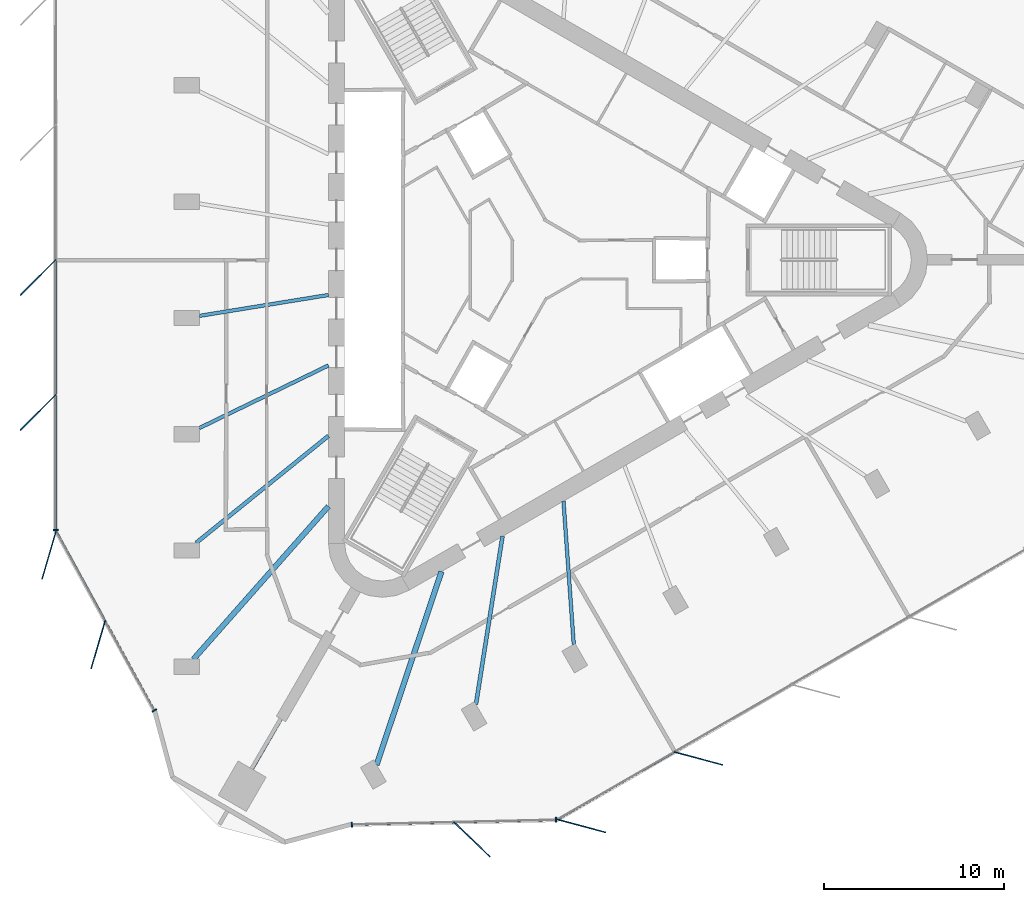
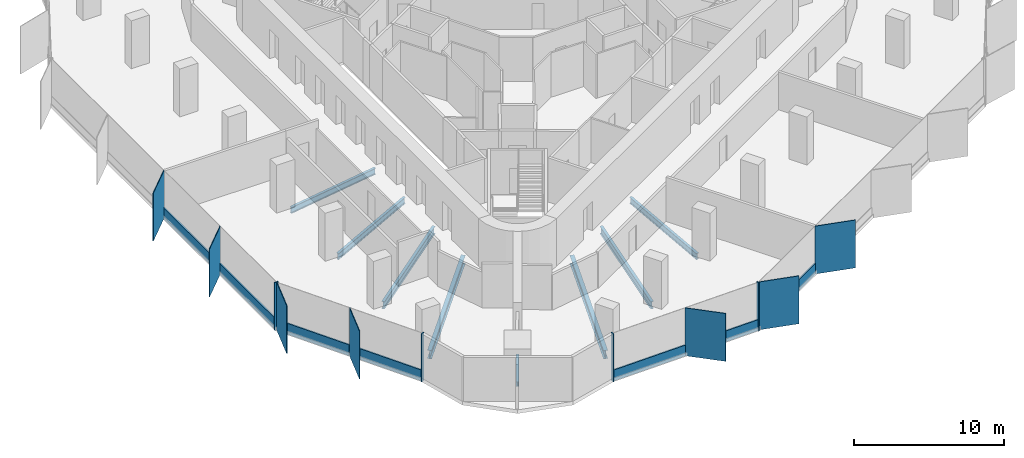
# One storey, part 2 of 12: 18 members, 8 beams, 4 elements without a shape of their own.
"""IFC4 building model written with IfcOpenShell, lengths in metres."""

from ifc_helpers import new_model, si_unit, direction, frame, origin, origin_2d, place, context, subcontext, project, spatial, rectangle, i_section, extrude, material, material_profile, profile_set, type_object, element, aggregate, save


model = new_model("IFC4")

# Units and contexts
model_context = context("Model", 3, precision=1e-05, world=origin(), true_north=direction((0.0, 1.0)))
body_context = subcontext(model_context, "Body", "Model", "MODEL_VIEW")
ifc_project = project(units=[si_unit("LENGTHUNIT", "METRE"), si_unit("AREAUNIT", "SQUARE_METRE"), si_unit("VOLUMEUNIT", "CUBIC_METRE"), si_unit("PLANEANGLEUNIT", "RADIAN"), si_unit("MASSUNIT", "GRAM", prefix="KILO")], contexts=[model_context])

# Site, building, storey
site_placement = place(None, origin())
site = spatial("IfcSite", under=ifc_project, at=site_placement, CompositionType="ELEMENT")
building_placement = place(site_placement, origin())
building = spatial("IfcBuilding", under=site, at=building_placement, Name="Tanit Gate Tower", CompositionType="ELEMENT")
storey_placement = place(building_placement, frame((0.0, 0.0, 341.60009765625)))
storey = spatial("IfcBuildingStorey", under=building, at=storey_placement, Name="L77", CompositionType="ELEMENT", Elevation=341.60009765625)

# Curtain wall, members
ifc_material_1 = material(Name="Aluminium bronze anodised and glass", Category="aluminium")
curtain_wall_type = type_object("IfcCurtainWallType", Name="Curtain wall typical high", PredefinedType="NOTDEFINED", material=ifc_material_1)
curtain_wall_1_placement = place(storey_placement, origin())
curtain_wall_1 = element("IfcCurtainWall", 1, at=curtain_wall_1_placement, inside=storey, type_object=curtain_wall_type, Name="Curtain wall L77 W2", PredefinedType="NOTDEFINED")
ifc_material_2 = material(Name="Aluminium bronze anodised", Category="aluminium")
ifc_material_profile_1 = material_profile(ifc_material_2, rectangle(XDim=2.800048828125, YDim=0.055908203125, at=origin_2d()), Name="56x2800 bronze fin mullion")
ifc_profile_set_1 = profile_set([ifc_material_profile_1], Name="Aluminium bronze anodised")
member_type_1 = type_object("IfcMemberType", Name="FIN MULLION 56x2800 bronze", PredefinedType="MULLION", material=ifc_profile_set_1)
member_1_placement = place(storey_placement, frame((-28.233642578125, -0.975830078125, -0.300048828125), z_axis=(0.0, 0.0, 1.0), x_axis=(0.707155809403, 0.707057749571, 0.0)))
member_1 = element("IfcMember", 2, at=member_1_placement, type_object=member_type_1, Name="Fin mullion L77 W2.3", PredefinedType="MULLION", context=body_context, shape_type="SweptSolid", body=[
    extrude(rectangle(XDim=2.800048828125, YDim=0.055908203125, at=origin_2d()), origin(), (0.0, 0.0, 1.0), 3.89990234375),
])
member_2_placement = place(storey_placement, frame((-28.234130859375, -8.47998046875, -0.300048828125), z_axis=(0.0, 0.0, 1.0), x_axis=(0.707155809403, 0.707057749571, 0.0)))
member_2 = element("IfcMember", 3, at=member_2_placement, type_object=member_type_1, Name="Fin mullion L77 W2.4", PredefinedType="MULLION", context=body_context, shape_type="SweptSolid", body=[
    extrude(rectangle(XDim=2.800048828125, YDim=0.055908203125, at=origin_2d()), origin(), (0.0, 0.0, 1.0), 3.89990234375),
])

curtain_wall_2_placement = place(storey_placement, origin())
curtain_wall_2 = element("IfcCurtainWall", 4, at=curtain_wall_2_placement, inside=storey, type_object=curtain_wall_type, Name="Curtain wall L77 W3", PredefinedType="NOTDEFINED")
member_3_placement = place(storey_placement, frame((-27.627197265625, -16.40771484375, -0.300048828125), z_axis=(0.0, 0.0, 1.0), x_axis=(0.280851527319, 0.959751227977, 0.0)))
member_3 = element("IfcMember", 5, at=member_3_placement, type_object=member_type_1, Name="Fin mullion L77 W3.1", PredefinedType="MULLION", context=body_context, shape_type="SweptSolid", body=[
    extrude(rectangle(XDim=2.800048828125, YDim=0.055908203125, at=origin_2d()), origin(), (0.0, 0.0, 1.0), 3.89990234375),
])
member_4_placement = place(storey_placement, frame((-24.899658203125, -21.391845703125, -0.300048828125), z_axis=(0.0, 0.0, 1.0), x_axis=(0.280851527319, 0.959751227977, 0.0)))
member_4 = element("IfcMember", 6, at=member_4_placement, type_object=member_type_1, Name="Fin mullion L77 W3.2", PredefinedType="MULLION", context=body_context, shape_type="SweptSolid", body=[
    extrude(rectangle(XDim=2.800048828125, YDim=0.055908203125, at=origin_2d()), origin(), (0.0, 0.0, 1.0), 3.89990234375),
])

# Curtain wall, member
curtain_wall_3_placement = place(storey_placement, origin())
curtain_wall_3 = element("IfcCurtainWall", 7, at=curtain_wall_3_placement, inside=storey, type_object=curtain_wall_type, Name="Curtain wall L77 SE1", PredefinedType="NOTDEFINED")
member_5_placement = place(storey_placement, frame((-4.125, -32.2138671875, -0.300048828125), z_axis=(0.0, 0.0, 1.0), x_axis=(-0.723210744855, 0.690627409336, 0.0)))
member_5 = element("IfcMember", 8, at=member_5_placement, type_object=member_type_1, Name="Fin mullion L77 SE1.2", PredefinedType="MULLION", context=body_context, shape_type="SweptSolid", body=[
    extrude(rectangle(XDim=2.800048828125, YDim=0.055908203125, at=origin_2d()), origin(), (0.0, 0.0, 1.0), 3.89990234375),
])

# Curtain wall, members
curtain_wall_4_placement = place(storey_placement, origin())
curtain_wall_4 = element("IfcCurtainWall", 9, at=curtain_wall_4_placement, inside=storey, type_object=curtain_wall_type, Name="Curtain wall L77 SE2", PredefinedType="NOTDEFINED")
member_6_placement = place(storey_placement, frame((1.964111328125, -31.46630859375, -0.300048828125), z_axis=(0.0, 0.0, 1.0), x_axis=(-0.965907877772, 0.258886020591, 0.0)))
member_6 = element("IfcMember", 10, at=member_6_placement, type_object=member_type_1, Name="Fin mullion L77 SE2.1", PredefinedType="MULLION", context=body_context, shape_type="SweptSolid", body=[
    extrude(rectangle(XDim=2.800048828125, YDim=0.055908203125, at=origin_2d()), origin(), (0.0, 0.0, 1.0), 3.89990234375),
])
member_7_placement = place(storey_placement, frame((8.463134765625, -27.71484375, -0.300048828125), z_axis=(0.0, 0.0, 1.0), x_axis=(-0.965907877772, 0.258886020591, 0.0)))
member_7 = element("IfcMember", 11, at=member_7_placement, type_object=member_type_1, Name="Fin mullion L77 SE2.2", PredefinedType="MULLION", context=body_context, shape_type="SweptSolid", body=[
    extrude(rectangle(XDim=2.800048828125, YDim=0.055908203125, at=origin_2d()), origin(), (0.0, 0.0, 1.0), 3.89990234375),
])

# Member
ifc_material_3 = material(Name="Aluminium bronze anodised", Category="aluminium")
ifc_material_profile_2 = material_profile(ifc_material_3, rectangle(XDim=0.280029296875, YDim=0.080078125, at=origin_2d()), Name="80x280 bronze mullion")
ifc_profile_set_2 = profile_set([ifc_material_profile_2], Name="Aluminium bronze anodised")
member_type_2 = type_object("IfcMemberType", Name="Mullion 80x280 typical high", PredefinedType="MULLION", material=ifc_profile_set_2)
member_8_placement = place(storey_placement, frame((-27.2587890625, -15.008056640625, -0.300048828125), z_axis=(0.0, 0.0, 1.0), x_axis=(0.999999997596, -6.9338772e-05, 0.0)))
member_8 = element("IfcMember", 12, at=member_8_placement, type_object=member_type_2, Name="Mullion L77 W2.5", PredefinedType="MULLION", context=body_context, shape_type="SweptSolid", body=[
    extrude(rectangle(XDim=0.280029296875, YDim=0.080078125, at=origin_2d()), origin(), (0.0, 0.0, 1.0), 3.89990234375),
])

member_9_placement = place(storey_placement, frame((-21.78466796875, -25.051025390625, -0.300048828125), z_axis=(0.0, 0.0, 1.0), x_axis=(0.877238621028, 0.48005458208, 0.0)))
member_9 = element("IfcMember", 13, at=member_9_placement, type_object=member_type_2, Name="Mullion L77 W3.3", PredefinedType="MULLION", context=body_context, shape_type="SweptSolid", body=[
    extrude(rectangle(XDim=0.280029296875, YDim=0.080078125, at=origin_2d()), origin(), (0.0, 0.0, 1.0), 3.89990234375),
])

member_10_placement = place(storey_placement, frame((-10.802490234375, -31.3916015625, -0.300048828125), z_axis=(0.0, 0.0, 1.0), x_axis=(-0.023039897499, 0.999734546329, 0.0)))
member_10 = element("IfcMember", 14, at=member_10_placement, type_object=member_type_2, Name="Mullion L77 SE1.1", PredefinedType="MULLION", context=body_context, shape_type="SweptSolid", body=[
    extrude(rectangle(XDim=0.280029296875, YDim=0.080078125, at=origin_2d()), origin(), (0.0, 0.0, 1.0), 3.89990234375),
])

member_11_placement = place(storey_placement, frame((0.556396484375, -31.1298828125, -0.300048828125), z_axis=(0.0, 0.0, 1.0), x_axis=(-0.023039897499, 0.999734546329, 0.0)))
member_11 = element("IfcMember", 15, at=member_11_placement, type_object=member_type_2, Name="Mullion L77 SE1.3", PredefinedType="MULLION", context=body_context, shape_type="SweptSolid", body=[
    extrude(rectangle(XDim=0.280029296875, YDim=0.080078125, at=origin_2d()), origin(), (0.0, 0.0, 1.0), 3.89990234375),
])

# Beams
ifc_material_4 = material(Name="Steel S355", Category="steel")
ifc_material_profile_3 = material_profile(ifc_material_4, i_section(OverallWidth=0.300048828125, OverallDepth=0.68994140625, WebThickness=0.014404296875, FlangeThickness=0.027099609375, FilletRadius=0.027099609375, at=origin_2d()), Name="HEA 700")
ifc_profile_set_3 = profile_set([ifc_material_profile_3], Name="Steel S355")
beam_type_1 = type_object("IfcBeamType", Name="RADIAL GIRDER HEA 700 S355", PredefinedType="BEAM", material=ifc_profile_set_3)
for number, where, z_axis, x_axis, name in (
    (16, (-19.602294921875, -22.198486328125, -0.64501953125), (0.661911618894, 0.749581889304, 0.0), (-0.749581889304, 0.661911618894, 0.0), "RADIAL GIRDER"),
    (17, (-9.42333984375, -28.075439453125, -0.64501953125), (0.318204952312, 0.948021945065, 0.0), (-0.948021945065, 0.318204952312, 0.0), "RADIAL GIRDER"),
):
    element("IfcBeam", number, at=place(storey_placement, frame(where, z_axis=z_axis, x_axis=x_axis)), inside=storey, type_object=beam_type_1, Name=name, PredefinedType="BEAM", context=body_context, shape_type="SweptSolid", body=[
        extrude(i_section(OverallWidth=0.300048828125, OverallDepth=0.68994140625, WebThickness=0.014404296875, FlangeThickness=0.027099609375, FilletRadius=0.027099609375, at=origin_2d()), origin(), (0.0, 0.0, 1.0), 11.331298828125),
    ])
ifc_material_5 = material(Name="Steel S355", Category="steel")
ifc_material_profile_4 = material_profile(ifc_material_5, i_section(OverallWidth=0.179931640625, OverallDepth=0.39990234375, WebThickness=0.008544921875, FlangeThickness=0.013427734375, FilletRadius=0.02099609375, at=origin_2d()), Name="IPE 400")
ifc_profile_set_4 = profile_set([ifc_material_profile_4], Name="Steel S355")
beam_type_2 = type_object("IfcBeamType", Name="RADIAL GIRDER IPE 400 S355", PredefinedType="BEAM", material=ifc_profile_set_4)
beam_1_placement = place(storey_placement, frame((-16.343505859375, -28.30810546875, -0.5), z_axis=(0.499967746641, 0.866044024469, 0.0), x_axis=(-0.866044024469, 0.499967746641, 0.0)))
element("IfcBeam", 18, at=beam_1_placement, inside=storey, type_object=beam_type_2, Name="RADIAL GIRDER", PredefinedType="BEAM", context=body_context, shape_type="SweptSolid", body=[
    extrude(i_section(OverallWidth=0.179931640625, OverallDepth=0.39990234375, WebThickness=0.008544921875, FlangeThickness=0.013427734375, FilletRadius=0.02099609375, at=origin_2d()), origin(), (0.0, 0.0, 1.0), 3.216552734375),
])
ifc_material_6 = material(Name="Steel S355", Category="steel")
ifc_material_profile_5 = material_profile(ifc_material_6, i_section(OverallWidth=0.199951171875, OverallDepth=0.5, WebThickness=0.01025390625, FlangeThickness=0.01611328125, FilletRadius=0.02099609375, at=origin_2d()), Name="IPE 500")
ifc_profile_set_5 = profile_set([ifc_material_profile_5], Name="Steel S355")
beam_type_3 = type_object("IfcBeamType", Name="RADIAL GIRDER IPE 500 S355", PredefinedType="BEAM", material=ifc_profile_set_5)
beam_2_placement = place(storey_placement, frame((-19.277587890625, -3.11865234375, -0.550048828125), z_axis=(0.987164361899, 0.159707615965, 0.0), x_axis=(-0.159707615965, 0.987164361899, 0.0)))
element("IfcBeam", 19, at=beam_2_placement, inside=storey, type_object=beam_type_3, Name="RADIAL GIRDER", PredefinedType="BEAM", context=body_context, shape_type="SweptSolid", body=[
    extrude(i_section(OverallWidth=0.199951171875, OverallDepth=0.5, WebThickness=0.01025390625, FlangeThickness=0.01611328125, FilletRadius=0.02099609375, at=origin_2d()), origin(), (0.0, 0.0, 1.0), 7.268798828125),
])
for number, where, z_axis, x_axis, name in (
    (20, (-19.277587890625, -9.356201171875, -0.550048828125), (0.899635975272, 0.43664071271, 0.0), (-0.43664071271, 0.899635975272, 0.0), "RADIAL GIRDER"),
    (21, (1.5361328125, -21.373046875, -0.550048828125), (-0.071686446401, 0.997427217095, 0.0), (-0.997427217095, -0.071686446401, 0.0), "RADIAL GIRDER"),
):
    element("IfcBeam", number, at=place(storey_placement, frame(where, z_axis=z_axis, x_axis=x_axis)), inside=storey, type_object=beam_type_3, Name=name, PredefinedType="BEAM", context=body_context, shape_type="SweptSolid", body=[
        extrude(i_section(OverallWidth=0.199951171875, OverallDepth=0.5, WebThickness=0.01025390625, FlangeThickness=0.01611328125, FilletRadius=0.02099609375, at=origin_2d()), origin(), (0.0, 0.0, 1.0), 7.97607421875),
    ])
ifc_material_7 = material(Name="Steel S355", Category="steel")
ifc_material_profile_6 = material_profile(ifc_material_7, i_section(OverallWidth=0.219970703125, OverallDepth=0.60009765625, WebThickness=0.011962890625, FlangeThickness=0.01904296875, FilletRadius=0.02392578125, at=origin_2d()), Name="IPE 600")
ifc_profile_set_6 = profile_set([ifc_material_profile_6], Name="Steel S355")
beam_type_4 = type_object("IfcBeamType", Name="RADIAL GIRDER IPE 600 S355", PredefinedType="BEAM", material=ifc_profile_set_6)
for number, where, z_axis, x_axis, name in (
    (22, (-19.452392578125, -15.734619140625, -0.60009765625), (0.777488974624, 0.628896568872, 0.0), (-0.628896568872, 0.777488974624, 0.0), "RADIAL GIRDER"),
    (23, (-3.900390625, -24.713623046875, -0.60009765625), (0.155875049661, 0.987776780904, 0.0), (-0.987776780904, 0.155875049661, 0.0), "RADIAL GIRDER"),
):
    element("IfcBeam", number, at=place(storey_placement, frame(where, z_axis=z_axis, x_axis=x_axis)), inside=storey, type_object=beam_type_4, Name=name, PredefinedType="BEAM", context=body_context, shape_type="SweptSolid", body=[
        extrude(i_section(OverallWidth=0.219970703125, OverallDepth=0.60009765625, WebThickness=0.011962890625, FlangeThickness=0.01904296875, FilletRadius=0.02392578125, at=origin_2d()), origin(), (0.0, 0.0, 1.0), 9.453857421875),
    ])

# Member
ifc_material_8 = material(Name="Aluminium bronze anodised", Category="aluminium")
ifc_material_profile_7 = material_profile(ifc_material_8, rectangle(XDim=0.1201171875, YDim=0.89990234375, at=origin_2d()), Name="120x900 bronze transom")
ifc_profile_set_7 = profile_set([ifc_material_profile_7], Name="Aluminium bronze anodised")
member_type_3 = type_object("IfcMemberType", Name="Transom 120x900 typical high", PredefinedType="USERDEFINED", material=ifc_profile_set_7)
member_12_placement = place(storey_placement, frame((-27.2578125, -0.0400390625, 0.14990234375), z_axis=(-6.5770002e-05, -0.999999997837, 0.0), x_axis=(0.999999997837, -6.5770002e-05, 0.0)))
member_12 = element("IfcMember", 24, at=member_12_placement, type_object=member_type_3, Name="Transom L77 W2.3", ObjectType="TRANSOM", PredefinedType="USERDEFINED", context=body_context, shape_type="SweptSolid", body=[
    extrude(rectangle(XDim=0.1201171875, YDim=0.89990234375, at=origin_2d()), origin(), (0.0, 0.0, 1.0), 7.424072265625),
])

member_13_placement = place(storey_placement, frame((-27.25830078125, -7.5439453125, 0.14990234375), z_axis=(-6.5770002e-05, -0.999999997837, 0.0), x_axis=(0.999999997837, -6.5770002e-05, 0.0)))
member_13 = element("IfcMember", 25, at=member_13_placement, type_object=member_type_3, Name="Transom L77 W2.4", ObjectType="TRANSOM", PredefinedType="USERDEFINED", context=body_context, shape_type="SweptSolid", body=[
    extrude(rectangle(XDim=0.1201171875, YDim=0.89990234375, at=origin_2d()), origin(), (0.0, 0.0, 1.0), 7.424072265625),
])

aggregate(curtain_wall_1, [member_1, member_2, member_8, member_12, member_13])

member_14_placement = place(storey_placement, frame((-27.220458984375, -15.1181640625, 0.14990234375), z_axis=(0.480082295211, -0.877223454899, 0.0), x_axis=(0.877223454899, 0.480082295211, 0.0)))
member_14 = element("IfcMember", 26, at=member_14_placement, type_object=member_type_3, Name="Transom L77 W3.1", ObjectType="TRANSOM", PredefinedType="USERDEFINED", context=body_context, shape_type="SweptSolid", body=[
    extrude(rectangle(XDim=0.1201171875, YDim=0.89990234375, at=origin_2d()), origin(), (0.0, 0.0, 1.0), 5.6015625),
])

member_15_placement = place(storey_placement, frame((-24.492919921875, -20.102294921875, 0.14990234375), z_axis=(0.480067110236, -0.877231765082, 0.0), x_axis=(0.877231765082, 0.480067110236, 0.0)))
member_15 = element("IfcMember", 27, at=member_15_placement, type_object=member_type_3, Name="Transom L77 W3.2", ObjectType="TRANSOM", PredefinedType="USERDEFINED", context=body_context, shape_type="SweptSolid", body=[
    extrude(rectangle(XDim=0.1201171875, YDim=0.89990234375, at=origin_2d()), origin(), (0.0, 0.0, 1.0), 5.601318359375),
])

aggregate(curtain_wall_2, [member_3, member_4, member_9, member_14, member_15])

member_16_placement = place(storey_placement, frame((-10.762451171875, -31.390625, 0.14990234375), z_axis=(0.999735108653, 0.023015484516, 0.0), x_axis=(-0.023015484516, 0.999735108653, 0.0)))
member_16 = element("IfcMember", 28, at=member_16_placement, type_object=member_type_3, Name="Transom L77 SE1.1", ObjectType="TRANSOM", PredefinedType="USERDEFINED", context=body_context, shape_type="SweptSolid", body=[
    extrude(rectangle(XDim=0.1201171875, YDim=0.89990234375, at=origin_2d()), origin(), (0.0, 0.0, 1.0), 5.600830078125),
])

member_17_placement = place(storey_placement, frame((-5.0830078125, -31.259765625, 0.14990234375), z_axis=(0.999735108653, 0.023015484516, 0.0), x_axis=(-0.023015484516, 0.999735108653, 0.0)))
member_17 = element("IfcMember", 29, at=member_17_placement, type_object=member_type_3, Name="Transom L77 SE1.2", ObjectType="TRANSOM", PredefinedType="USERDEFINED", context=body_context, shape_type="SweptSolid", body=[
    extrude(rectangle(XDim=0.1201171875, YDim=0.89990234375, at=origin_2d()), origin(), (0.0, 0.0, 1.0), 5.600830078125),
])

aggregate(curtain_wall_3, [member_10, member_5, member_11, member_16, member_17])

member_18_placement = place(storey_placement, frame((0.665771484375, -31.0888671875, 0.14990234375), z_axis=(0.866061277435, 0.499937859866, 0.0), x_axis=(-0.499937859866, 0.866061277435, 0.0)))
member_18 = element("IfcMember", 30, at=member_18_placement, type_object=member_type_3, Name="Transom L77 SE2.1", ObjectType="TRANSOM", PredefinedType="USERDEFINED", context=body_context, shape_type="SweptSolid", body=[
    extrude(rectangle(XDim=0.1201171875, YDim=0.89990234375, at=origin_2d()), origin(), (0.0, 0.0, 1.0), 7.423828125),
])

aggregate(curtain_wall_4, [member_6, member_7, member_18])

save(model, "model.ifc")
